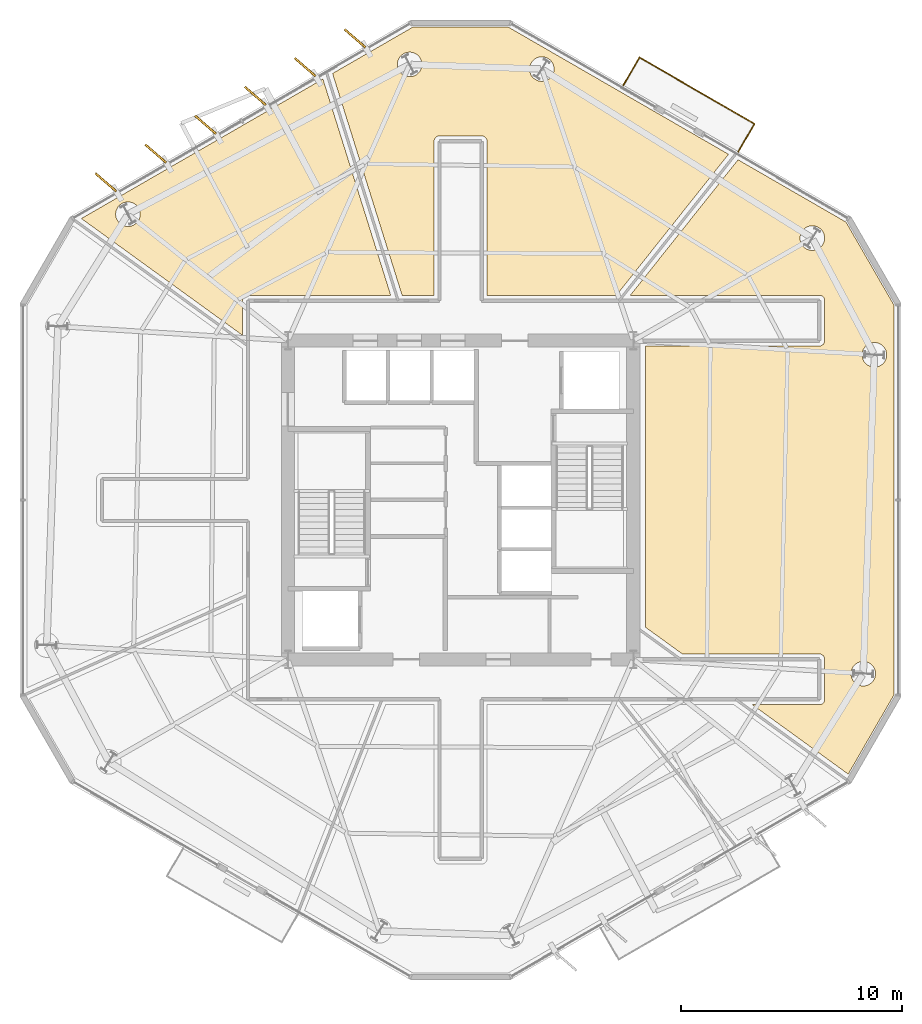
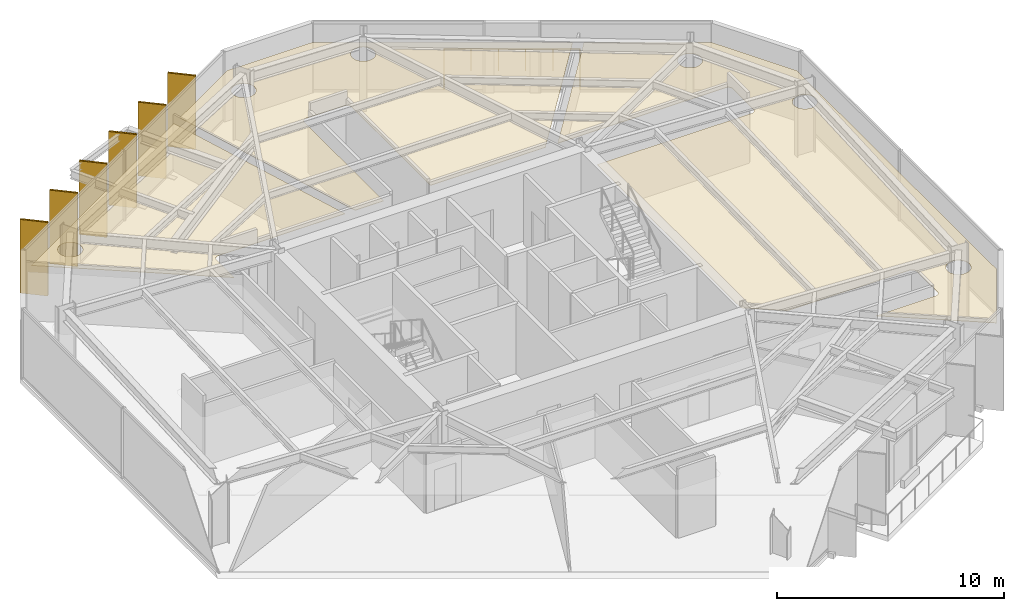
# One storey, part 11 of 11: 9 coverings, 6 shading devices, 1 railing.
"""IFC4 building model written with IfcOpenShell, lengths in metres."""

import ifcopenshell
import ifcopenshell.guid

model = None  # the IFC model being written
_history = None  # IfcOwnerHistory: only IFC2X3 demands one
_inside = {}  # id of a spatial element -> (the spatial element, [elements in it])
_under = {}  # id of a project, library or spatial element -> (it, [spatial elements below it])
_declared = {}  # id of a project -> (the project, [libraries it declares])
_typed = {}  # id of a type object -> (the type object, [elements of that type])
_made_of = {}  # id of a material, layer set ... -> (it, [elements and type objects made of it])


def new_model(schema):
    """Start an empty IFC model of exactly this schema.

    Asked for "IFC4X3", IfcOpenShell would pick the latest addendum, in which some entities
    have other attributes; the version numbers below select the first issue.
    IFC2X3 requires an IfcOwnerHistory on every rooted entity: one is made here for all.
    """
    global model, _history
    if schema == "IFC4X3":
        model = ifcopenshell.file(schema_version=(4, 3, 0, 0))
    else:
        model = ifcopenshell.file(schema=schema)
    _inside.clear()
    _under.clear()
    _declared.clear()
    _typed.clear()
    _made_of.clear()
    _history = None
    if model.schema == "IFC2X3":
        org = make("IfcOrganization", Name="unknown")
        user = make(
            "IfcPersonAndOrganization",
            ThePerson=make("IfcPerson", FamilyName="unknown"),
            TheOrganization=org,
        )
        app = make(
            "IfcApplication",
            ApplicationDeveloper=org,
            Version="unknown",
            ApplicationFullName="unknown",
            ApplicationIdentifier="unknown",
        )
        _history = make(
            "IfcOwnerHistory",
            OwningUser=user,
            OwningApplication=app,
            ChangeAction="ADDED",
            CreationDate=0,
        )
    return model


def make(cls, **values):
    """One entity of the class cls with the attributes given. An attribute that is None is left unset."""
    return model.create_entity(
        cls, **{name: value for name, value in values.items() if value is not None}
    )


def rooted(cls, **values):
    """An entity with a GlobalId (a new one), such as an element, a storey or a relation."""
    return make(cls, GlobalId=ifcopenshell.guid.new(), OwnerHistory=_history, **values)


def si_unit(unit_type, name, prefix=None):
    """IfcSIUnit, for example si_unit("LENGTHUNIT", "METRE", prefix="MILLI")."""
    return make("IfcSIUnit", UnitType=unit_type, Prefix=prefix, Name=name)


def assignment(units):
    """IfcUnitAssignment: the units of a project."""
    return None if units is None else make("IfcUnitAssignment", Units=units)


def point(xyz):
    """IfcCartesianPoint."""
    return None if xyz is None else make("IfcCartesianPoint", Coordinates=xyz)


def direction(xyz):
    """IfcDirection."""
    return None if xyz is None else make("IfcDirection", DirectionRatios=xyz)


def frame(location, z_axis=None, x_axis=None):
    """IfcAxis2Placement3D, a coordinate frame: its origin and axes. An axis left out is left unset."""
    return make(
        "IfcAxis2Placement3D",
        Location=point(location),
        Axis=direction(z_axis),
        RefDirection=direction(x_axis),
    )


def frame_2d(location, x_axis=None):
    """IfcAxis2Placement2D, a coordinate frame in the plane: its origin and x axis."""
    return make(
        "IfcAxis2Placement2D", Location=point(location), RefDirection=direction(x_axis)
    )


def origin():
    """The frame at (0, 0, 0) with its axes left unset."""
    return frame((0.0, 0.0, 0.0))


def origin_2d():
    """The frame at (0, 0) in the plane with its x axis left unset."""
    return frame_2d((0.0, 0.0))


def place(relative_to, where):
    """IfcLocalPlacement: puts the frame where relative to a parent placement (None: the world)."""
    return make(
        "IfcLocalPlacement", PlacementRelTo=relative_to, RelativePlacement=where
    )


def context(
    kind, dimensions, precision=None, world=None, true_north=None, identifier=None
):
    """IfcGeometricRepresentationContext, for example the 3D "Model" context."""
    return make(
        "IfcGeometricRepresentationContext",
        ContextIdentifier=identifier,
        ContextType=kind,
        CoordinateSpaceDimension=dimensions,
        Precision=precision,
        WorldCoordinateSystem=world,
        TrueNorth=true_north,
    )


def subcontext(parent, identifier, kind, view, scale=None):
    """IfcGeometricRepresentationSubContext, for example "Body" below "Model"."""
    return make(
        "IfcGeometricRepresentationSubContext",
        ContextIdentifier=identifier,
        ContextType=kind,
        ParentContext=parent,
        TargetScale=scale,
        TargetView=view,
    )


def project(units=None, contexts=None):
    """IfcProject with its units and contexts."""
    return rooted(
        "IfcProject",
        Name="project",
        RepresentationContexts=contexts,
        UnitsInContext=assignment(units),
    )


def spatial(cls, under=None, at=None, **own):
    """A site, building, storey or space (cls), placed at a placement, below another one or the project."""
    s = rooted(cls, ObjectPlacement=at, **own)
    if under is not None:
        _under.setdefault(under.id(), (under, []))[1].append(s)
    return s


def polyline(points):
    """IfcPolyline through the points."""
    return make("IfcPolyline", Points=[point(p) for p in points])


def profile(cls, at=None, kind="AREA", **sizes):
    """A parametric profile (cls). Its sizes go by their IFC names, for example OverallWidth=200.0."""
    return make(cls, ProfileType=kind, Position=at, **sizes)


def rectangle(**sizes):
    """IfcRectangleProfileDef."""
    return profile("IfcRectangleProfileDef", **sizes)


def circle(**sizes):
    """IfcCircleProfileDef."""
    return profile("IfcCircleProfileDef", **sizes)


def outline(outer, holes=None, kind="AREA"):
    """IfcArbitraryClosedProfileDef: a profile drawn as a closed curve; with holes, ...WithVoids."""
    if holes is None:
        return make("IfcArbitraryClosedProfileDef", ProfileType=kind, OuterCurve=outer)
    return make(
        "IfcArbitraryProfileDefWithVoids",
        ProfileType=kind,
        OuterCurve=outer,
        InnerCurves=holes,
    )


def extrude(swept, where, along, depth):
    """IfcExtrudedAreaSolid: the profile swept, set in the frame where, extruded along a direction by depth."""
    return make(
        "IfcExtrudedAreaSolid",
        SweptArea=swept,
        Position=where,
        ExtrudedDirection=direction(along),
        Depth=depth,
    )


def shape(context_of_items, identifier, shape_type, items):
    """IfcShapeRepresentation: the items that make up one representation, for example the "Body"."""
    return make(
        "IfcShapeRepresentation",
        ContextOfItems=context_of_items,
        RepresentationIdentifier=identifier,
        RepresentationType=shape_type,
        Items=items,
    )


def material(Name=None, Category=None):
    """IfcMaterial."""
    return make("IfcMaterial", Name=Name, Category=Category)


def layer(
    of_material, thickness, ventilated=None, Name=None, Category=None, Priority=None
):
    """IfcMaterialLayer: one layer of a wall or slab, of a material (None: an air gap)."""
    return make(
        "IfcMaterialLayer",
        Material=of_material,
        LayerThickness=thickness,
        IsVentilated=ventilated,
        Name=Name,
        Category=Category,
        Priority=Priority,
    )


def layer_set(layers, Name=None):
    """IfcMaterialLayerSet."""
    return make("IfcMaterialLayerSet", MaterialLayers=layers, LayerSetName=Name)


def made_of(thing, what):
    """Note that an element or type object is made of a material, layer set ...; save() writes the relation."""
    if what is not None:
        _made_of.setdefault(what.id(), (what, []))[1].append(thing)
    return thing


def type_object(cls, material=None, **own):
    """A type object (cls), such as IfcWallType, which elements share."""
    return made_of(rooted(cls, **own), material)


def element(
    cls,
    number,
    at=None,
    inside=None,
    cuts=None,
    type_object=None,
    material=None,
    context=None,
    identifier="Body",
    shape_type=None,
    held_by="IfcProductDefinitionShape",
    body=None,
    shapes=None,
    **own,
):
    """One element of the class cls, such as IfcWall. Its Tag is "e" and its number.

    at: its placement. inside: the storey or other place that contains it. cuts: it is an
    opening in that element (IfcRelVoidsElement). A single representation is given by context,
    identifier, shape_type and body (its items); several are given by shapes. held_by: the class
    of the entity that holds the representations. save() writes the other relations.
    """
    e = rooted(cls, Tag="e%d" % number, ObjectPlacement=at, **own)
    if body is not None:
        shapes = [shape(context, identifier, shape_type, body)]
    if shapes is not None:
        e.Representation = make(held_by, Representations=shapes)
    if inside is not None:
        _inside.setdefault(inside.id(), (inside, []))[1].append(e)
    if cuts is not None:
        rooted(
            "IfcRelVoidsElement", RelatingBuildingElement=cuts, RelatedOpeningElement=e
        )
    if type_object is not None:
        _typed.setdefault(type_object.id(), (type_object, []))[1].append(e)
    return made_of(e, material)


def aggregate(whole, parts):
    """IfcRelAggregates: a whole, such as a stair, and the parts it consists of."""
    return rooted("IfcRelAggregates", RelatingObject=whole, RelatedObjects=parts)


def save(model, path):
    """Write the relations noted so far, then the file.

    IfcRelAggregates (storeys below a building ...), IfcRelContainedInSpatialStructure (elements
    in a storey), IfcRelDefinesByType, IfcRelAssociatesMaterial and IfcRelDeclares: one each for
    every whole, place, type object, material and project.
    """
    for whole, parts in _under.values():
        aggregate(whole, parts)
    for where, things in _inside.values():
        rooted(
            "IfcRelContainedInSpatialStructure",
            RelatedElements=things,
            RelatingStructure=where,
        )
    for kind, things in _typed.values():
        rooted("IfcRelDefinesByType", RelatedObjects=things, RelatingType=kind)
    for what, things in _made_of.values():
        rooted("IfcRelAssociatesMaterial", RelatedObjects=things, RelatingMaterial=what)
    for by, libraries in _declared.values():
        rooted("IfcRelDeclares", RelatingContext=by, RelatedDefinitions=libraries)
    model.write(path)


model = new_model("IFC4")

# Units and contexts
model_context = context("Model", 3, precision=1e-05, world=origin(), true_north=direction((0.0, 1.0)))
body_context = subcontext(model_context, "Body", "Model", "MODEL_VIEW")
ifc_project = project(units=[si_unit("LENGTHUNIT", "METRE"), si_unit("AREAUNIT", "SQUARE_METRE"), si_unit("VOLUMEUNIT", "CUBIC_METRE"), si_unit("PLANEANGLEUNIT", "RADIAN"), si_unit("MASSUNIT", "GRAM", prefix="KILO")], contexts=[model_context])

# Site, building, storey
site_placement = place(None, origin())
site = spatial("IfcSite", under=ifc_project, at=site_placement, CompositionType="ELEMENT")
building_placement = place(site_placement, origin())
building = spatial("IfcBuilding", under=site, at=building_placement, Name="Kranzbogen Civic Tower", CompositionType="ELEMENT")
storey_placement = place(building_placement, frame((0.0, 0.0, 142.39990234375)))
storey = spatial("IfcBuildingStorey", under=building, at=storey_placement, Name="L34", CompositionType="ELEMENT", Elevation=142.39990234375)

# Coverings
ifc_material_1 = material(Name="Pale Anodised Aluminium", Category="aluminium")
ifc_layer_1 = layer(ifc_material_1, 0.02490234375, Name="Pale Anodised Aluminium")
ifc_layer_set_1 = layer_set([ifc_layer_1], Name="Pale Anodised Aluminium")
covering_type_1 = type_object("IfcCoveringType", Name="Anodised Aluminium Vertical Fin Cladding 25 mm", PredefinedType="CLADDING", material=ifc_layer_set_1)
for number, where, z_axis, x_axis, name in (
    (1, (20.23193359375, 45.85009765625, -0.139892578125), (0.0, 0.0, 1.0), (-0.755487675046, 0.655162859794, 0.0), "L34 vertical fin pale-metal cladding F2-1"),
    (2, (17.97998046875, 44.550048828125, -0.139892578125), (0.0, 0.0, 1.0), (-0.755487675046, 0.655162859794, 0.0), "L34 vertical fin pale-metal cladding F2-2"),
    (3, (15.72900390625, 43.25, -0.139892578125), (0.0, 0.0, 1.0), (-0.755487675046, 0.655162859794, 0.0), "L34 vertical fin pale-metal cladding F2-3"),
    (4, (13.47705078125, 41.949951171875, -0.139892578125), (0.0, 0.0, 1.0), (-0.755487675046, 0.655162859794, 0.0), "L34 vertical fin pale-metal cladding F2-4"),
    (5, (11.22509765625, 40.64990234375, -0.139892578125), (0.0, 0.0, 1.0), (-0.755487675046, 0.655162859794, 0.0), "L34 vertical fin pale-metal cladding F2-5"),
    (6, (8.97412109375, 39.35009765625, -0.139892578125), (0.0, 0.0, 1.0), (-0.755487675046, 0.655162859794, 0.0), "L34 vertical fin pale-metal cladding F2-6"),
):
    element("IfcCovering", number, at=place(storey_placement, frame(where, z_axis=z_axis, x_axis=x_axis)), inside=storey, type_object=covering_type_1, Name=name, PredefinedType="CLADDING", context=body_context, shape_type="SweptSolid", body=[
        extrude(rectangle(XDim=1.25, YDim=0.10009765625, at=origin_2d()), origin(), (0.0, 0.0, 1.0), 3.9599609375),
    ])

# Shading devices
ifc_material_2 = material(Name="Anodised Bronze Aluminium", Category="aluminium")
shading_device_type = type_object("IfcShadingDeviceType", Name="Anodised Bronze Vertical Facade Fin 1250x80", PredefinedType="USERDEFINED", material=ifc_material_2)
for number, where, z_axis, x_axis, name in (
    (7, (20.23193359375, 45.85009765625, -0.139892578125), (0.0, 0.0, 1.0), (-0.755487675046, 0.655162859794, 0.0), "L34 vertical exterior shading fin F2-1"),
    (8, (17.97998046875, 44.550048828125, -0.139892578125), (0.0, 0.0, 1.0), (-0.755487675046, 0.655162859794, 0.0), "L34 vertical exterior shading fin F2-2"),
    (9, (15.72900390625, 43.25, -0.139892578125), (0.0, 0.0, 1.0), (-0.755487675046, 0.655162859794, 0.0), "L34 vertical exterior shading fin F2-3"),
    (10, (13.47705078125, 41.949951171875, -0.139892578125), (0.0, 0.0, 1.0), (-0.755487675046, 0.655162859794, 0.0), "L34 vertical exterior shading fin F2-4"),
    (11, (11.22509765625, 40.64990234375, -0.139892578125), (0.0, 0.0, 1.0), (-0.755487675046, 0.655162859794, 0.0), "L34 vertical exterior shading fin F2-5"),
    (12, (8.97412109375, 39.35009765625, -0.139892578125), (0.0, 0.0, 1.0), (-0.755487675046, 0.655162859794, 0.0), "L34 vertical exterior shading fin F2-6"),
):
    element("IfcShadingDevice", number, at=place(storey_placement, frame(where, z_axis=z_axis, x_axis=x_axis)), inside=storey, type_object=shading_device_type, Name=name, ObjectType="FIN", PredefinedType="USERDEFINED", context=body_context, shape_type="SweptSolid", body=[
        extrude(rectangle(XDim=1.25, YDim=0.080078125, at=origin_2d()), origin(), (0.0, 0.0, 1.0), 3.9599609375),
    ])

# Railing
railing_type = type_object("IfcRailingType", Name="Cantilevered Balcony Glass and Bronze Balustrade 1200", PredefinedType="BALUSTRADE", material=ifc_material_2)
railing_placement = place(storey_placement, frame((37.548095703125, 40.73388671875, 0.0)))
element("IfcRailing", 13, at=railing_placement, inside=storey, type_object=railing_type, Name="L34 exterior terrace balustrade L34-TB2", PredefinedType="BALUSTRADE", context=body_context, shape_type="SweptSolid", body=[
    extrude(circle(Radius=0.02392578125, at=origin_2d()), frame((0.0, 0.0, 1.17578125), z_axis=(0.49981475051, 0.866132331213, 0.0), x_axis=(-0.866132331213, 0.49981475051, 0.0)), (0.0, 0.0, 1.0), 1.4501953125),
    extrude(circle(Radius=0.02392578125, at=origin_2d()), frame((0.724853515625, 1.256103515625, 1.17578125), z_axis=(-0.866020924479, 0.500007758305, 0.0), x_axis=(-0.500007758305, -0.866020924479, 0.0)), (0.0, 0.0, 1.0), 6.0),
    extrude(circle(Radius=0.02392578125, at=origin_2d()), frame((-4.47119140625, 4.256103515625, 1.17578125), z_axis=(-0.49981475051, -0.866132331213, 0.0), x_axis=(0.866132331213, -0.49981475051, 0.0)), (0.0, 0.0, 1.0), 1.4501953125),
    extrude(circle(Radius=0.02099609375, at=origin_2d()), origin(), (0.0, 0.0, 1.0), 1.15185546875),
    extrude(circle(Radius=0.02099609375, at=origin_2d()), frame((0.3623046875, 0.6279296875, 0.0)), (0.0, 0.0, 1.0), 1.15185546875),
    extrude(circle(Radius=0.02099609375, at=origin_2d()), frame((0.724853515625, 1.256103515625, 0.0)), (0.0, 0.0, 1.0), 1.15185546875),
    extrude(circle(Radius=0.02099609375, at=origin_2d()), frame((-0.314453125, 1.856201171875, 0.0)), (0.0, 0.0, 1.0), 1.15185546875),
    extrude(circle(Radius=0.02099609375, at=origin_2d()), frame((-1.353515625, 2.4560546875, 0.0)), (0.0, 0.0, 1.0), 1.15185546875),
    extrude(circle(Radius=0.02099609375, at=origin_2d()), frame((-2.392822265625, 3.05615234375, 0.0)), (0.0, 0.0, 1.0), 1.15185546875),
    extrude(circle(Radius=0.02099609375, at=origin_2d()), frame((-3.431884765625, 3.656005859375, 0.0)), (0.0, 0.0, 1.0), 1.15185546875),
    extrude(circle(Radius=0.02099609375, at=origin_2d()), frame((-4.47119140625, 4.256103515625, 0.0)), (0.0, 0.0, 1.0), 1.15185546875),
    extrude(circle(Radius=0.02099609375, at=origin_2d()), frame((-4.83349609375, 3.6279296875, 0.0)), (0.0, 0.0, 1.0), 1.15185546875),
    extrude(circle(Radius=0.02099609375, at=origin_2d()), frame((-5.196044921875, 3.0, 0.0)), (0.0, 0.0, 1.0), 1.15185546875),
])

# Coverings
ifc_material_3 = material(Name="Perforated Acoustic Gypsum Ceiling")
ifc_layer_2 = layer(ifc_material_3, 0.02490234375, Name="Perforated Acoustic Gypsum Ceiling")
ifc_layer_set_2 = layer_set([ifc_layer_2], Name="Perforated Acoustic Gypsum Ceiling")
covering_type_2 = type_object("IfcCoveringType", Name="Perforated Acoustic Mineral Ceiling Tile 25 mm", PredefinedType="CEILING", material=ifc_layer_set_2)
covering_1_placement = place(storey_placement, frame((0.0, 0.0, 2.75)))
element("IfcCovering", 14, at=covering_1_placement, inside=storey, type_object=covering_type_2, Name="L34 Operations Security Control Room acoustic ceiling", PredefinedType="CEILING", context=body_context, shape_type="SweptSolid", body=[
    extrude(outline(polyline([(42.509033203125, 12.616943359375), (38.177978515625, 15.7548828125), (41.199951171875, 15.7548828125), (41.208984375, 15.7548828125), (41.215087890625, 15.756103515625), (41.23291015625, 15.757080078125), (41.239013671875, 15.758056640625), (41.256103515625, 15.761962890625), (41.262939453125, 15.762939453125), (41.280029296875, 15.76806640625), (41.285888671875, 15.77001953125), (41.302001953125, 15.777099609375), (41.30810546875, 15.780029296875), (41.322998046875, 15.7880859375), (41.3291015625, 15.7919921875), (41.343017578125, 15.801025390625), (41.347900390625, 15.804931640625), (41.362060546875, 15.81591796875), (41.366943359375, 15.821044921875), (41.37890625, 15.8330078125), (41.384033203125, 15.837890625), (41.39501953125, 15.85205078125), (41.39892578125, 15.85693359375), (41.407958984375, 15.87109375), (41.412109375, 15.876953125), (41.419921875, 15.89208984375), (41.423095703125, 15.89794921875), (41.429931640625, 15.9140625), (41.431884765625, 15.919921875), (41.43701171875, 15.93701171875), (41.43798828125, 15.944091796875), (41.44189453125, 15.9609375), (41.443115234375, 15.967041015625), (41.444091796875, 15.985107421875), (41.445068359375, 15.990966796875), (41.445068359375, 16.0), (41.445068359375, 17.800048828125), (41.445068359375, 17.80908203125), (41.444091796875, 17.81494140625), (41.443115234375, 17.8330078125), (41.44189453125, 17.839111328125), (41.43798828125, 17.85595703125), (41.43701171875, 17.863037109375), (41.431884765625, 17.8798828125), (41.429931640625, 17.885986328125), (41.423095703125, 17.902099609375), (41.419921875, 17.907958984375), (41.412109375, 17.923095703125), (41.407958984375, 17.928955078125), (41.39892578125, 17.943115234375), (41.39501953125, 17.947998046875), (41.384033203125, 17.9619140625), (41.37890625, 17.967041015625), (41.366943359375, 17.97900390625), (41.362060546875, 17.98388671875), (41.347900390625, 17.9951171875), (41.343017578125, 17.9990234375), (41.3291015625, 18.008056640625), (41.322998046875, 18.011962890625), (41.30810546875, 18.02001953125), (41.302001953125, 18.02294921875), (41.285888671875, 18.030029296875), (41.280029296875, 18.031982421875), (41.262939453125, 18.037109375), (41.256103515625, 18.0380859375), (41.239013671875, 18.0419921875), (41.23291015625, 18.04296875), (41.215087890625, 18.0439453125), (41.208984375, 18.044921875), (41.199951171875, 18.044921875), (35.01708984375, 18.044921875), (33.344970703125, 19.256103515625), (33.344970703125, 31.955078125), (41.199951171875, 31.955078125), (41.208984375, 31.955078125), (41.215087890625, 31.9560546875), (41.23291015625, 31.95703125), (41.239013671875, 31.9580078125), (41.256103515625, 31.9619140625), (41.262939453125, 31.962890625), (41.280029296875, 31.968017578125), (41.285888671875, 31.969970703125), (41.302001953125, 31.97705078125), (41.30810546875, 31.97998046875), (41.322998046875, 31.988037109375), (41.3291015625, 31.991943359375), (41.343017578125, 32.0009765625), (41.347900390625, 32.0048828125), (41.362060546875, 32.01611328125), (41.366943359375, 32.02099609375), (41.37890625, 32.032958984375), (41.384033203125, 32.0380859375), (41.39501953125, 32.052001953125), (41.39892578125, 32.056884765625), (41.407958984375, 32.071044921875), (41.412109375, 32.076904296875), (41.419921875, 32.092041015625), (41.423095703125, 32.097900390625), (41.429931640625, 32.114013671875), (41.431884765625, 32.1201171875), (41.43701171875, 32.136962890625), (41.43798828125, 32.14404296875), (41.44189453125, 32.160888671875), (41.443115234375, 32.1669921875), (41.444091796875, 32.18505859375), (41.445068359375, 32.19091796875), (41.445068359375, 32.199951171875), (41.445068359375, 34.0), (41.445068359375, 34.009033203125), (41.444091796875, 34.014892578125), (41.443115234375, 34.032958984375), (41.44189453125, 34.0390625), (41.43798828125, 34.055908203125), (41.43701171875, 34.06298828125), (41.431884765625, 34.080078125), (41.429931640625, 34.0859375), (41.423095703125, 34.10205078125), (41.419921875, 34.10791015625), (41.412109375, 34.123046875), (41.407958984375, 34.12890625), (41.39892578125, 34.14306640625), (41.39501953125, 34.14794921875), (41.384033203125, 34.162109375), (41.37890625, 34.1669921875), (41.366943359375, 34.178955078125), (41.362060546875, 34.18408203125), (41.347900390625, 34.195068359375), (41.343017578125, 34.198974609375), (41.3291015625, 34.2080078125), (41.322998046875, 34.2119140625), (41.30810546875, 34.219970703125), (41.302001953125, 34.222900390625), (41.285888671875, 34.22998046875), (41.280029296875, 34.23193359375), (41.262939453125, 34.237060546875), (41.256103515625, 34.238037109375), (41.239013671875, 34.241943359375), (41.23291015625, 34.242919921875), (41.215087890625, 34.243896484375), (41.208984375, 34.2451171875), (41.199951171875, 34.2451171875), (32.6640625, 34.2451171875), (37.531982421875, 40.367919921875), (42.412109375, 37.550048828125), (44.574951171875, 33.803955078125), (44.574951171875, 16.196044921875), (42.509033203125, 12.616943359375)]), holes=[polyline([(43.698974609375, 16.944091796875), (43.676025390625, 16.89501953125), (43.64794921875, 16.847900390625), (43.615966796875, 16.803955078125), (43.5791015625, 16.763916015625), (43.5390625, 16.72705078125), (43.4951171875, 16.695068359375), (43.447998046875, 16.6669921875), (43.39892578125, 16.64404296875), (43.347900390625, 16.6259765625), (43.294921875, 16.612060546875), (43.240966796875, 16.60400390625), (43.18701171875, 16.60205078125), (43.133056640625, 16.60400390625), (43.0791015625, 16.612060546875), (43.02587890625, 16.6259765625), (42.97509765625, 16.64404296875), (42.926025390625, 16.6669921875), (42.87890625, 16.695068359375), (42.8349609375, 16.72705078125), (42.794921875, 16.763916015625), (42.758056640625, 16.803955078125), (42.72607421875, 16.847900390625), (42.697998046875, 16.89501953125), (42.675048828125, 16.944091796875), (42.656982421875, 16.9951171875), (42.64306640625, 17.048095703125), (42.635009765625, 17.10205078125), (42.633056640625, 17.156005859375), (42.635009765625, 17.2099609375), (42.64306640625, 17.263916015625), (42.656982421875, 17.31689453125), (42.675048828125, 17.367919921875), (42.697998046875, 17.4169921875), (42.72607421875, 17.464111328125), (42.758056640625, 17.508056640625), (42.794921875, 17.548095703125), (42.8349609375, 17.5849609375), (42.87890625, 17.616943359375), (42.926025390625, 17.64501953125), (42.97509765625, 17.66796875), (43.02587890625, 17.68603515625), (43.0791015625, 17.699951171875), (43.133056640625, 17.7080078125), (43.18701171875, 17.7099609375), (43.240966796875, 17.7080078125), (43.294921875, 17.699951171875), (43.347900390625, 17.68603515625), (43.39892578125, 17.66796875), (43.447998046875, 17.64501953125), (43.4951171875, 17.616943359375), (43.5390625, 17.5849609375), (43.5791015625, 17.548095703125), (43.615966796875, 17.508056640625), (43.64794921875, 17.464111328125), (43.676025390625, 17.4169921875), (43.698974609375, 17.367919921875), (43.717041015625, 17.31689453125), (43.73095703125, 17.263916015625), (43.739013671875, 17.2099609375), (43.740966796875, 17.156005859375), (43.739013671875, 17.10205078125), (43.73095703125, 17.048095703125), (43.717041015625, 16.9951171875), (43.698974609375, 16.944091796875)]), polyline([(44.201904296875, 31.343994140625), (44.178955078125, 31.294921875), (44.15087890625, 31.248046875), (44.118896484375, 31.2041015625), (44.08203125, 31.1640625), (44.0419921875, 31.126953125), (43.998046875, 31.094970703125), (43.950927734375, 31.06689453125), (43.902099609375, 31.0439453125), (43.85107421875, 31.02587890625), (43.798095703125, 31.011962890625), (43.743896484375, 31.00390625), (43.68994140625, 31.001953125), (43.635986328125, 31.00390625), (43.58203125, 31.011962890625), (43.529052734375, 31.02587890625), (43.47802734375, 31.0439453125), (43.428955078125, 31.06689453125), (43.382080078125, 31.094970703125), (43.337890625, 31.126953125), (43.298095703125, 31.1640625), (43.260986328125, 31.2041015625), (43.22900390625, 31.248046875), (43.200927734375, 31.294921875), (43.177978515625, 31.343994140625), (43.159912109375, 31.39501953125), (43.14599609375, 31.447998046875), (43.137939453125, 31.501953125), (43.135986328125, 31.555908203125), (43.137939453125, 31.610107421875), (43.14599609375, 31.6640625), (43.159912109375, 31.717041015625), (43.177978515625, 31.76806640625), (43.200927734375, 31.81689453125), (43.22900390625, 31.864013671875), (43.260986328125, 31.907958984375), (43.298095703125, 31.947998046875), (43.337890625, 31.985107421875), (43.382080078125, 32.01708984375), (43.428955078125, 32.044921875), (43.47802734375, 32.068115234375), (43.529052734375, 32.0859375), (43.58203125, 32.10009765625), (43.635986328125, 32.10791015625), (43.68994140625, 32.110107421875), (43.743896484375, 32.10791015625), (43.798095703125, 32.10009765625), (43.85107421875, 32.0859375), (43.902099609375, 32.068115234375), (43.950927734375, 32.044921875), (43.998046875, 32.01708984375), (44.0419921875, 31.985107421875), (44.08203125, 31.947998046875), (44.118896484375, 31.907958984375), (44.15087890625, 31.864013671875), (44.178955078125, 31.81689453125), (44.201904296875, 31.76806640625), (44.219970703125, 31.717041015625), (44.23388671875, 31.6640625), (44.241943359375, 31.610107421875), (44.243896484375, 31.555908203125), (44.241943359375, 31.501953125), (44.23388671875, 31.447998046875), (44.219970703125, 31.39501953125), (44.201904296875, 31.343994140625)]), polyline([(41.39794921875, 36.616943359375), (41.375, 36.568115234375), (41.346923828125, 36.52099609375), (41.31494140625, 36.47705078125), (41.278076171875, 36.43701171875), (41.238037109375, 36.39990234375), (41.194091796875, 36.367919921875), (41.14697265625, 36.340087890625), (41.097900390625, 36.31689453125), (41.047119140625, 36.299072265625), (40.993896484375, 36.284912109375), (40.93994140625, 36.277099609375), (40.885986328125, 36.27490234375), (40.83203125, 36.277099609375), (40.778076171875, 36.284912109375), (40.72509765625, 36.299072265625), (40.674072265625, 36.31689453125), (40.625, 36.340087890625), (40.577880859375, 36.367919921875), (40.533935546875, 36.39990234375), (40.493896484375, 36.43701171875), (40.45703125, 36.47705078125), (40.425048828125, 36.52099609375), (40.39697265625, 36.568115234375), (40.3740234375, 36.616943359375), (40.35595703125, 36.66796875), (40.342041015625, 36.720947265625), (40.333984375, 36.77490234375), (40.33203125, 36.8291015625), (40.333984375, 36.883056640625), (40.342041015625, 36.93701171875), (40.35595703125, 36.989990234375), (40.3740234375, 37.041015625), (40.39697265625, 37.090087890625), (40.425048828125, 37.136962890625), (40.45703125, 37.180908203125), (40.493896484375, 37.220947265625), (40.533935546875, 37.258056640625), (40.577880859375, 37.2900390625), (40.625, 37.318115234375), (40.674072265625, 37.341064453125), (40.72509765625, 37.35888671875), (40.778076171875, 37.373046875), (40.83203125, 37.381103515625), (40.885986328125, 37.383056640625), (40.93994140625, 37.381103515625), (40.993896484375, 37.373046875), (41.047119140625, 37.35888671875), (41.097900390625, 37.341064453125), (41.14697265625, 37.318115234375), (41.194091796875, 37.2900390625), (41.238037109375, 37.258056640625), (41.278076171875, 37.220947265625), (41.31494140625, 37.180908203125), (41.346923828125, 37.136962890625), (41.375, 37.090087890625), (41.39794921875, 37.041015625), (41.416015625, 36.989990234375), (41.429931640625, 36.93701171875), (41.43798828125, 36.883056640625), (41.43994140625, 36.8291015625), (41.43798828125, 36.77490234375), (41.429931640625, 36.720947265625), (41.416015625, 36.66796875), (41.39794921875, 36.616943359375)])]), origin(), (0.0, 0.0, 1.0), 0.025146484375),
])
covering_2_placement = place(storey_placement, frame((0.0, 0.0, 2.75)))
element("IfcCovering", 15, at=covering_2_placement, inside=storey, type_object=covering_type_2, Name="L34 Central Mail Post Room acoustic ceiling", PredefinedType="CEILING", context=body_context, shape_type="SweptSolid", body=[
    extrude(outline(polyline([(27.1630859375, 46.35498046875), (37.10302734375, 40.615966796875), (32.0380859375, 34.2451171875), (26.195068359375, 34.2451171875), (26.195068359375, 41.199951171875), (26.195068359375, 41.208984375), (26.194091796875, 41.215087890625), (26.193115234375, 41.23291015625), (26.19189453125, 41.239013671875), (26.18798828125, 41.256103515625), (26.18701171875, 41.262939453125), (26.181884765625, 41.280029296875), (26.179931640625, 41.285888671875), (26.173095703125, 41.302001953125), (26.169921875, 41.30810546875), (26.162109375, 41.322998046875), (26.157958984375, 41.3291015625), (26.14892578125, 41.343017578125), (26.14501953125, 41.347900390625), (26.134033203125, 41.362060546875), (26.12890625, 41.366943359375), (26.116943359375, 41.37890625), (26.112060546875, 41.384033203125), (26.097900390625, 41.39501953125), (26.093017578125, 41.39892578125), (26.0791015625, 41.407958984375), (26.072998046875, 41.412109375), (26.05810546875, 41.419921875), (26.052001953125, 41.423095703125), (26.035888671875, 41.429931640625), (26.030029296875, 41.431884765625), (26.012939453125, 41.43701171875), (26.006103515625, 41.43798828125), (25.989013671875, 41.44189453125), (25.98291015625, 41.443115234375), (25.965087890625, 41.444091796875), (25.958984375, 41.445068359375), (25.949951171875, 41.445068359375), (24.050048828125, 41.445068359375), (24.041015625, 41.445068359375), (24.034912109375, 41.444091796875), (24.01708984375, 41.443115234375), (24.010986328125, 41.44189453125), (23.993896484375, 41.43798828125), (23.987060546875, 41.43701171875), (23.969970703125, 41.431884765625), (23.964111328125, 41.429931640625), (23.947998046875, 41.423095703125), (23.94189453125, 41.419921875), (23.927001953125, 41.412109375), (23.9208984375, 41.407958984375), (23.906982421875, 41.39892578125), (23.902099609375, 41.39501953125), (23.887939453125, 41.384033203125), (23.883056640625, 41.37890625), (23.87109375, 41.366943359375), (23.865966796875, 41.362060546875), (23.85498046875, 41.347900390625), (23.85107421875, 41.343017578125), (23.842041015625, 41.3291015625), (23.837890625, 41.322998046875), (23.830078125, 41.30810546875), (23.826904296875, 41.302001953125), (23.820068359375, 41.285888671875), (23.818115234375, 41.280029296875), (23.81298828125, 41.262939453125), (23.81201171875, 41.256103515625), (23.80810546875, 41.239013671875), (23.806884765625, 41.23291015625), (23.805908203125, 41.215087890625), (23.804931640625, 41.208984375), (23.804931640625, 41.199951171875), (23.804931640625, 34.2451171875), (22.35791015625, 34.2451171875), (19.217041015625, 44.264892578125), (22.8369140625, 46.35498046875), (27.1630859375, 46.35498046875)]), holes=[polyline([(23.2109375, 44.4599609375), (23.18798828125, 44.410888671875), (23.159912109375, 44.364013671875), (23.1279296875, 44.320068359375), (23.091064453125, 44.280029296875), (23.051025390625, 44.242919921875), (23.007080078125, 44.2109375), (22.9599609375, 44.18310546875), (22.910888671875, 44.159912109375), (22.860107421875, 44.14208984375), (22.806884765625, 44.1279296875), (22.7529296875, 44.1201171875), (22.698974609375, 44.117919921875), (22.64501953125, 44.1201171875), (22.591064453125, 44.1279296875), (22.5380859375, 44.14208984375), (22.487060546875, 44.159912109375), (22.43798828125, 44.18310546875), (22.39111328125, 44.2109375), (22.346923828125, 44.242919921875), (22.306884765625, 44.280029296875), (22.27001953125, 44.320068359375), (22.238037109375, 44.364013671875), (22.2099609375, 44.410888671875), (22.18701171875, 44.4599609375), (22.1689453125, 44.510986328125), (22.155029296875, 44.56396484375), (22.14697265625, 44.617919921875), (22.14501953125, 44.672119140625), (22.14697265625, 44.72607421875), (22.155029296875, 44.780029296875), (22.1689453125, 44.8330078125), (22.18701171875, 44.884033203125), (22.2099609375, 44.93310546875), (22.238037109375, 44.97998046875), (22.27001953125, 45.02392578125), (22.306884765625, 45.06396484375), (22.346923828125, 45.10107421875), (22.39111328125, 45.133056640625), (22.43798828125, 45.160888671875), (22.487060546875, 45.18408203125), (22.5380859375, 45.201904296875), (22.591064453125, 45.216064453125), (22.64501953125, 45.22412109375), (22.698974609375, 45.22607421875), (22.7529296875, 45.22412109375), (22.806884765625, 45.216064453125), (22.860107421875, 45.201904296875), (22.910888671875, 45.18408203125), (22.9599609375, 45.160888671875), (23.007080078125, 45.133056640625), (23.051025390625, 45.10107421875), (23.091064453125, 45.06396484375), (23.1279296875, 45.02392578125), (23.159912109375, 44.97998046875), (23.18798828125, 44.93310546875), (23.2109375, 44.884033203125), (23.22900390625, 44.8330078125), (23.242919921875, 44.780029296875), (23.2509765625, 44.72607421875), (23.2529296875, 44.672119140625), (23.2509765625, 44.617919921875), (23.242919921875, 44.56396484375), (23.22900390625, 44.510986328125), (23.2109375, 44.4599609375)]), polyline([(29.179931640625, 44.251953125), (29.156982421875, 44.202880859375), (29.12890625, 44.156005859375), (29.096923828125, 44.112060546875), (29.06005859375, 44.072021484375), (29.02001953125, 44.034912109375), (28.97607421875, 44.0029296875), (28.928955078125, 43.97509765625), (28.8798828125, 43.951904296875), (28.8291015625, 43.93408203125), (28.77587890625, 43.919921875), (28.721923828125, 43.912109375), (28.66796875, 43.909912109375), (28.614013671875, 43.912109375), (28.56005859375, 43.919921875), (28.507080078125, 43.93408203125), (28.4560546875, 43.951904296875), (28.406982421875, 43.97509765625), (28.360107421875, 44.0029296875), (28.31591796875, 44.034912109375), (28.27587890625, 44.072021484375), (28.239013671875, 44.112060546875), (28.20703125, 44.156005859375), (28.178955078125, 44.202880859375), (28.156005859375, 44.251953125), (28.137939453125, 44.302978515625), (28.1240234375, 44.35595703125), (28.115966796875, 44.409912109375), (28.114013671875, 44.464111328125), (28.115966796875, 44.51806640625), (28.1240234375, 44.572021484375), (28.137939453125, 44.625), (28.156005859375, 44.676025390625), (28.178955078125, 44.72509765625), (28.20703125, 44.77197265625), (28.239013671875, 44.81591796875), (28.27587890625, 44.85595703125), (28.31591796875, 44.89306640625), (28.360107421875, 44.925048828125), (28.406982421875, 44.952880859375), (28.4560546875, 44.97607421875), (28.507080078125, 44.993896484375), (28.56005859375, 45.008056640625), (28.614013671875, 45.01611328125), (28.66796875, 45.01806640625), (28.721923828125, 45.01611328125), (28.77587890625, 45.008056640625), (28.8291015625, 44.993896484375), (28.8798828125, 44.97607421875), (28.928955078125, 44.952880859375), (28.97607421875, 44.925048828125), (29.02001953125, 44.89306640625), (29.06005859375, 44.85595703125), (29.096923828125, 44.81591796875), (29.12890625, 44.77197265625), (29.156982421875, 44.72509765625), (29.179931640625, 44.676025390625), (29.197998046875, 44.625), (29.2119140625, 44.572021484375), (29.219970703125, 44.51806640625), (29.221923828125, 44.464111328125), (29.219970703125, 44.409912109375), (29.2119140625, 44.35595703125), (29.197998046875, 44.302978515625), (29.179931640625, 44.251953125)])]), origin(), (0.0, 0.0, 1.0), 0.025146484375),
])
covering_3_placement = place(storey_placement, frame((0.0, 0.0, 2.75)))
element("IfcCovering", 16, at=covering_3_placement, inside=storey, type_object=covering_type_2, Name="L34 Duty Crew Control Room acoustic ceiling", PredefinedType="CEILING", context=body_context, shape_type="SweptSolid", body=[
    extrude(outline(polyline([(21.844970703125, 34.2451171875), (15.39990234375, 34.2451171875), (15.39111328125, 34.2451171875), (15.385009765625, 34.243896484375), (15.366943359375, 34.242919921875), (15.361083984375, 34.241943359375), (15.343994140625, 34.238037109375), (15.3369140625, 34.237060546875), (15.320068359375, 34.23193359375), (15.31396484375, 34.22998046875), (15.298095703125, 34.222900390625), (15.2919921875, 34.219970703125), (15.277099609375, 34.2119140625), (15.27099609375, 34.2080078125), (15.257080078125, 34.198974609375), (15.251953125, 34.195068359375), (15.238037109375, 34.18408203125), (15.23291015625, 34.178955078125), (15.220947265625, 34.1669921875), (15.216064453125, 34.162109375), (15.205078125, 34.14794921875), (15.200927734375, 34.14306640625), (15.19189453125, 34.12890625), (15.18798828125, 34.123046875), (15.179931640625, 34.10791015625), (15.177001953125, 34.10205078125), (15.169921875, 34.0859375), (15.16796875, 34.080078125), (15.1630859375, 34.06298828125), (15.162109375, 34.055908203125), (15.157958984375, 34.0390625), (15.156982421875, 34.032958984375), (15.156005859375, 34.014892578125), (15.155029296875, 34.009033203125), (15.155029296875, 34.0), (15.155029296875, 32.43603515625), (7.87109375, 37.712890625), (18.781982421875, 44.013916015625), (21.844970703125, 34.2451171875)]), holes=[polyline([(10.489013671875, 37.696044921875), (10.466064453125, 37.64697265625), (10.43798828125, 37.60009765625), (10.406005859375, 37.555908203125), (10.368896484375, 37.51611328125), (10.3291015625, 37.47900390625), (10.284912109375, 37.447021484375), (10.238037109375, 37.4189453125), (10.18896484375, 37.39599609375), (10.137939453125, 37.3779296875), (10.0849609375, 37.364013671875), (10.031005859375, 37.35595703125), (9.97705078125, 37.35400390625), (9.923095703125, 37.35595703125), (9.868896484375, 37.364013671875), (9.81591796875, 37.3779296875), (9.764892578125, 37.39599609375), (9.716064453125, 37.4189453125), (9.6689453125, 37.447021484375), (9.625, 37.47900390625), (9.5849609375, 37.51611328125), (9.548095703125, 37.555908203125), (9.51611328125, 37.60009765625), (9.488037109375, 37.64697265625), (9.465087890625, 37.696044921875), (9.447021484375, 37.7470703125), (9.43310546875, 37.800048828125), (9.425048828125, 37.85400390625), (9.423095703125, 37.907958984375), (9.425048828125, 37.9619140625), (9.43310546875, 38.01611328125), (9.447021484375, 38.069091796875), (9.465087890625, 38.1201171875), (9.488037109375, 38.1689453125), (9.51611328125, 38.216064453125), (9.548095703125, 38.260009765625), (9.5849609375, 38.300048828125), (9.625, 38.3369140625), (9.6689453125, 38.368896484375), (9.716064453125, 38.39697265625), (9.764892578125, 38.419921875), (9.81591796875, 38.43798828125), (9.868896484375, 38.451904296875), (9.923095703125, 38.4599609375), (9.97705078125, 38.4619140625), (10.031005859375, 38.4599609375), (10.0849609375, 38.451904296875), (10.137939453125, 38.43798828125), (10.18896484375, 38.419921875), (10.238037109375, 38.39697265625), (10.284912109375, 38.368896484375), (10.3291015625, 38.3369140625), (10.368896484375, 38.300048828125), (10.406005859375, 38.260009765625), (10.43798828125, 38.216064453125), (10.466064453125, 38.1689453125), (10.489013671875, 38.1201171875), (10.507080078125, 38.069091796875), (10.52099609375, 38.01611328125), (10.529052734375, 37.9619140625), (10.531005859375, 37.907958984375), (10.529052734375, 37.85400390625), (10.52099609375, 37.800048828125), (10.507080078125, 37.7470703125), (10.489013671875, 37.696044921875)])]), origin(), (0.0, 0.0, 1.0), 0.025146484375),
])

save(model, "model.ifc")
